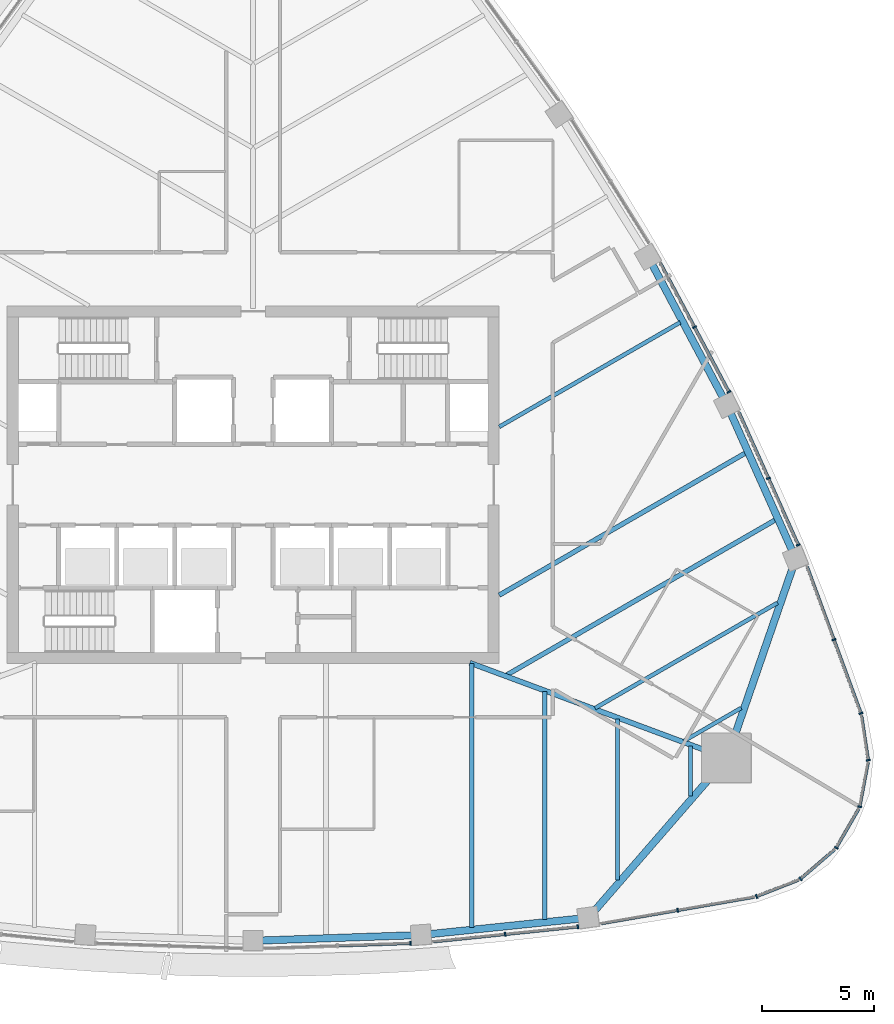
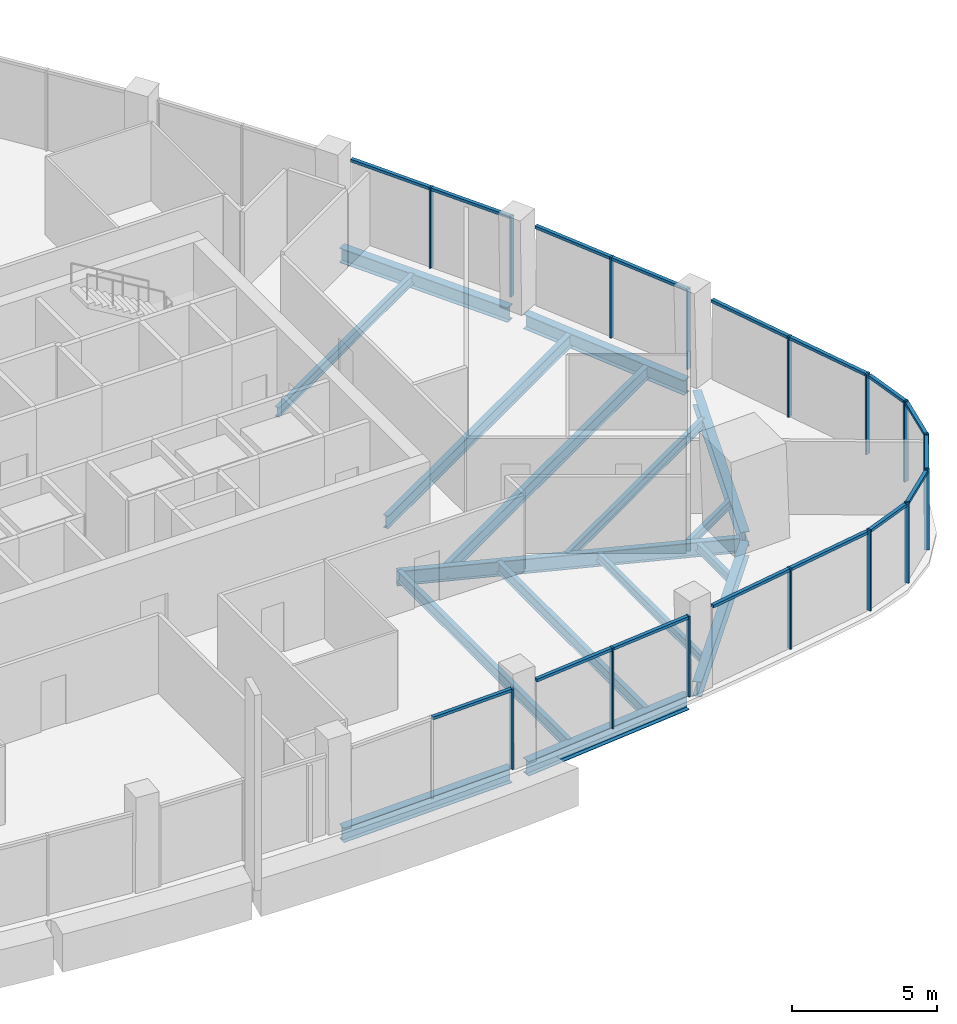
# One storey, part 4 of 16: 31 members, 16 beams, 11 elements without a shape of their own.
"""IFC4 building model written with IfcOpenShell, lengths in metres."""

from ifc_helpers import new_model, si_unit, direction, frame, origin, origin_2d, place, context, subcontext, project, spatial, rectangle, i_section, extrude, material, layer, layer_set, material_profile, profile_set, type_object, element, aggregate, save


model = new_model("IFC4")

# Units and contexts
model_context = context("Model", 3, precision=1e-05, world=origin(), true_north=direction((0.0, 1.0)))
body_context = subcontext(model_context, "Body", "Model", "MODEL_VIEW")
ifc_project = project(units=[si_unit("LENGTHUNIT", "METRE"), si_unit("AREAUNIT", "SQUARE_METRE"), si_unit("VOLUMEUNIT", "CUBIC_METRE"), si_unit("PLANEANGLEUNIT", "RADIAN"), si_unit("MASSUNIT", "GRAM", prefix="KILO")], contexts=[model_context])

# Site, building, storey
site_placement = place(None, origin())
site = spatial("IfcSite", under=ifc_project, at=site_placement, CompositionType="ELEMENT")
building_placement = place(site_placement, origin())
building = spatial("IfcBuilding", under=site, at=building_placement, Name="Sierra Prisma Convention Tower", CompositionType="ELEMENT")
storey_placement = place(building_placement, frame((0.0, 0.0, 271.0)))
storey = spatial("IfcBuildingStorey", under=building, at=storey_placement, Name="L61", CompositionType="ELEMENT", Elevation=271.0)

# Curtain wall, member
ifc_material_1 = material(Name="Aluminium and glass curtain wall", Category="aluminium")
ifc_layer = layer(ifc_material_1, 0.179931640625)
ifc_layer_set = layer_set([ifc_layer], Name="CW-1 Plain shaft curtain wall")
curtain_wall_type = type_object("IfcCurtainWallType", Name="CW-1 Plain shaft curtain wall", PredefinedType="NOTDEFINED", material=ifc_layer_set)
curtain_wall_1_placement = place(storey_placement, origin())
curtain_wall_1 = element("IfcCurtainWall", 1, at=curtain_wall_1_placement, inside=storey, type_object=curtain_wall_type, Name="CW-1 S4 L61", PredefinedType="NOTDEFINED")
ifc_material_2 = material(Name="Aluminium 6063-T6 bronze anodised", Category="aluminium")
ifc_material_profile_1 = material_profile(ifc_material_2, rectangle(XDim=0.179931640625, YDim=0.070068359375, at=origin_2d()), Name="ALU MULLION 70x180")
ifc_profile_set_1 = profile_set([ifc_material_profile_1], Name="Aluminium 6063-T6 bronze anodised")
member_type_1 = type_object("IfcMemberType", Name="CW mullion bronze", PredefinedType="MULLION", material=ifc_profile_set_1)
member_1_placement = place(storey_placement, frame((7.040283203125, -20.494140625, 0.0), z_axis=(0.0, 0.0, 1.0), x_axis=(-0.034297874149, 0.999411654839, 0.0)))
member_1 = element("IfcMember", 2, at=member_1_placement, type_object=member_type_1, Name="CW-1 mullion S4.3", PredefinedType="MULLION", context=body_context, shape_type="SweptSolid", body=[
    extrude(rectangle(XDim=0.179931640625, YDim=0.070068359375, at=origin_2d()), origin(), (0.0, 0.0, 1.0), 3.39990234375),
])

# Curtain wall, members
curtain_wall_2_placement = place(storey_placement, origin())
curtain_wall_2 = element("IfcCurtainWall", 3, at=curtain_wall_2_placement, inside=storey, type_object=curtain_wall_type, Name="CW-1 S5 L61", PredefinedType="NOTDEFINED")
member_2_placement = place(storey_placement, frame((11.26611328125, -20.092041015625, 0.0), z_axis=(0.0, 0.0, 1.0), x_axis=(-0.102732238011, 0.994709046542, 0.0)))
member_2 = element("IfcMember", 4, at=member_2_placement, type_object=member_type_1, Name="CW-1 mullion S5.2", PredefinedType="MULLION", context=body_context, shape_type="SweptSolid", body=[
    extrude(rectangle(XDim=0.179931640625, YDim=0.070068359375, at=origin_2d()), origin(), (0.0, 0.0, 1.0), 3.39990234375),
])
member_3_placement = place(storey_placement, frame((14.512939453125, -19.756591796875, 0.0), z_axis=(0.0, 0.0, 1.0), x_axis=(-0.102732238011, 0.994709046542, 0.0)))
member_3 = element("IfcMember", 5, at=member_3_placement, type_object=member_type_1, Name="CW-1 mullion S5.3", PredefinedType="MULLION", context=body_context, shape_type="SweptSolid", body=[
    extrude(rectangle(XDim=0.179931640625, YDim=0.070068359375, at=origin_2d()), origin(), (0.0, 0.0, 1.0), 3.39990234375),
])

# Curtain wall, member
curtain_wall_3_placement = place(storey_placement, origin())
curtain_wall_3 = element("IfcCurtainWall", 6, at=curtain_wall_3_placement, inside=storey, type_object=curtain_wall_type, Name="CW-1 S6 L61", PredefinedType="NOTDEFINED")
member_4_placement = place(storey_placement, frame((18.97607421875, -19.020263671875, 0.0), z_axis=(0.0, 0.0, 1.0), x_axis=(-0.170683207997, 0.985325957492, 0.0)))
member_4 = element("IfcMember", 7, at=member_4_placement, type_object=member_type_1, Name="CW-1 mullion S6.2", PredefinedType="MULLION", context=body_context, shape_type="SweptSolid", body=[
    extrude(rectangle(XDim=0.179931640625, YDim=0.070068359375, at=origin_2d()), origin(), (0.0, 0.0, 1.0), 3.39990234375),
])

curtain_wall_4_placement = place(storey_placement, origin())
curtain_wall_4 = element("IfcCurtainWall", 8, at=curtain_wall_4_placement, inside=storey, type_object=curtain_wall_type, Name="CW-1 SE1 L61", PredefinedType="NOTDEFINED")
member_5_placement = place(storey_placement, frame((22.50244140625, -18.40234375, 0.0), z_axis=(0.0, 0.0, 1.0), x_axis=(-0.365436413434, 0.930836305554, 0.0)))
member_5 = element("IfcMember", 9, at=member_5_placement, type_object=member_type_1, Name="CW-1 mullion SE1.1", PredefinedType="MULLION", context=body_context, shape_type="SweptSolid", body=[
    extrude(rectangle(XDim=0.179931640625, YDim=0.070068359375, at=origin_2d()), origin(), (0.0, 0.0, 1.0), 3.39990234375),
])

curtain_wall_5_placement = place(storey_placement, origin())
curtain_wall_5 = element("IfcCurtainWall", 10, at=curtain_wall_5_placement, inside=storey, type_object=curtain_wall_type, Name="CW-1 SE2 L61", PredefinedType="NOTDEFINED")
member_6_placement = place(storey_placement, frame((24.46728515625, -17.618408203125, 0.0), z_axis=(0.0, 0.0, 1.0), x_axis=(-0.652326246869, 0.757938300686, 0.0)))
member_6 = element("IfcMember", 11, at=member_6_placement, type_object=member_type_1, Name="CW-1 mullion SE2.1", PredefinedType="MULLION", context=body_context, shape_type="SweptSolid", body=[
    extrude(rectangle(XDim=0.179931640625, YDim=0.070068359375, at=origin_2d()), origin(), (0.0, 0.0, 1.0), 3.39990234375),
])

curtain_wall_6_placement = place(storey_placement, origin())
curtain_wall_6 = element("IfcCurtainWall", 12, at=curtain_wall_6_placement, inside=storey, type_object=curtain_wall_type, Name="CW-1 SE3 L61", PredefinedType="NOTDEFINED")
member_7_placement = place(storey_placement, frame((26.063232421875, -16.229736328125, 0.0), z_axis=(0.0, 0.0, 1.0), x_axis=(-0.866025403784, 0.5, 0.0)))
member_7 = element("IfcMember", 13, at=member_7_placement, type_object=member_type_1, Name="CW-1 mullion SE3.1", PredefinedType="MULLION", context=body_context, shape_type="SweptSolid", body=[
    extrude(rectangle(XDim=0.179931640625, YDim=0.070068359375, at=origin_2d()), origin(), (0.0, 0.0, 1.0), 3.39990234375),
])

curtain_wall_7_placement = place(storey_placement, origin())
curtain_wall_7 = element("IfcCurtainWall", 14, at=curtain_wall_7_placement, inside=storey, type_object=curtain_wall_type, Name="CW-1 SE4 L61", PredefinedType="NOTDEFINED")
member_8_placement = place(storey_placement, frame((27.11083984375, -14.391845703125, 0.0), z_axis=(0.0, 0.0, 1.0), x_axis=(-0.982556946329, 0.185961951001, 0.0)))
member_8 = element("IfcMember", 15, at=member_8_placement, type_object=member_type_1, Name="CW-1 mullion SE4.1", PredefinedType="MULLION", context=body_context, shape_type="SweptSolid", body=[
    extrude(rectangle(XDim=0.179931640625, YDim=0.070068359375, at=origin_2d()), origin(), (0.0, 0.0, 1.0), 3.39990234375),
])

curtain_wall_8_placement = place(storey_placement, origin())
curtain_wall_8 = element("IfcCurtainWall", 16, at=curtain_wall_8_placement, inside=storey, type_object=curtain_wall_type, Name="CW-1 SE5 L61", PredefinedType="NOTDEFINED")
member_9_placement = place(storey_placement, frame((27.492919921875, -12.31103515625, 0.0), z_axis=(0.0, 0.0, 1.0), x_axis=(-0.988846094091, -0.148940935275, 0.0)))
member_9 = element("IfcMember", 17, at=member_9_placement, type_object=member_type_1, Name="CW-1 mullion SE5.1", PredefinedType="MULLION", context=body_context, shape_type="SweptSolid", body=[
    extrude(rectangle(XDim=0.179931640625, YDim=0.070068359375, at=origin_2d()), origin(), (0.0, 0.0, 1.0), 3.39990234375),
])

# Curtain wall, members
curtain_wall_9_placement = place(storey_placement, origin())
curtain_wall_9 = element("IfcCurtainWall", 18, at=curtain_wall_9_placement, inside=storey, type_object=curtain_wall_type, Name="CW-1 NE1 L61", PredefinedType="NOTDEFINED")
member_10_placement = place(storey_placement, frame((27.170654296875, -10.218994140625, 0.0), z_axis=(0.0, 0.0, 1.0), x_axis=(-0.938658914195, -0.344846984621, 0.0)))
member_10 = element("IfcMember", 19, at=member_10_placement, type_object=member_type_1, Name="CW-1 mullion NE1.1", PredefinedType="MULLION", context=body_context, shape_type="SweptSolid", body=[
    extrude(rectangle(XDim=0.179931640625, YDim=0.070068359375, at=origin_2d()), origin(), (0.0, 0.0, 1.0), 3.39990234375),
])
member_11_placement = place(storey_placement, frame((25.9599609375, -6.923583984375, 0.0), z_axis=(0.0, 0.0, 1.0), x_axis=(-0.938658914195, -0.344846984621, 0.0)))
member_11 = element("IfcMember", 20, at=member_11_placement, type_object=member_type_1, Name="CW-1 mullion NE1.2", PredefinedType="MULLION", context=body_context, shape_type="SweptSolid", body=[
    extrude(rectangle(XDim=0.179931640625, YDim=0.070068359375, at=origin_2d()), origin(), (0.0, 0.0, 1.0), 3.39990234375),
])

curtain_wall_10_placement = place(storey_placement, origin())
curtain_wall_10 = element("IfcCurtainWall", 21, at=curtain_wall_10_placement, inside=storey, type_object=curtain_wall_type, Name="CW-1 NE2 L61", PredefinedType="NOTDEFINED")
member_12_placement = place(storey_placement, frame((24.3662109375, -2.6904296875, 0.0), z_axis=(0.0, 0.0, 1.0), x_axis=(-0.912809422686, -0.408385795366, 0.0)))
member_12 = element("IfcMember", 22, at=member_12_placement, type_object=member_type_1, Name="CW-1 mullion NE2.1", PredefinedType="MULLION", context=body_context, shape_type="SweptSolid", body=[
    extrude(rectangle(XDim=0.179931640625, YDim=0.070068359375, at=origin_2d()), origin(), (0.0, 0.0, 1.0), 3.39990234375),
])
member_13_placement = place(storey_placement, frame((23.033203125, 0.2890625, 0.0), z_axis=(0.0, 0.0, 1.0), x_axis=(-0.912809422686, -0.408385795366, 0.0)))
member_13 = element("IfcMember", 23, at=member_13_placement, type_object=member_type_1, Name="CW-1 mullion NE2.2", PredefinedType="MULLION", context=body_context, shape_type="SweptSolid", body=[
    extrude(rectangle(XDim=0.179931640625, YDim=0.070068359375, at=origin_2d()), origin(), (0.0, 0.0, 1.0), 3.39990234375),
])

curtain_wall_11_placement = place(storey_placement, origin())
curtain_wall_11 = element("IfcCurtainWall", 24, at=curtain_wall_11_placement, inside=storey, type_object=curtain_wall_type, Name="CW-1 NE3 L61", PredefinedType="NOTDEFINED")
member_14_placement = place(storey_placement, frame((21.2685546875, 4.14990234375, 0.0), z_axis=(0.0, 0.0, 1.0), x_axis=(-0.882664819004, -0.470002997111, 0.0)))
member_14 = element("IfcMember", 25, at=member_14_placement, type_object=member_type_1, Name="CW-1 mullion NE3.1", PredefinedType="MULLION", context=body_context, shape_type="SweptSolid", body=[
    extrude(rectangle(XDim=0.179931640625, YDim=0.070068359375, at=origin_2d()), origin(), (0.0, 0.0, 1.0), 3.39990234375),
])
member_15_placement = place(storey_placement, frame((19.72705078125, 7.044921875, 0.0), z_axis=(0.0, 0.0, 1.0), x_axis=(-0.882664819004, -0.470002997111, 0.0)))
member_15 = element("IfcMember", 26, at=member_15_placement, type_object=member_type_1, Name="CW-1 mullion NE3.2", PredefinedType="MULLION", context=body_context, shape_type="SweptSolid", body=[
    extrude(rectangle(XDim=0.179931640625, YDim=0.070068359375, at=origin_2d()), origin(), (0.0, 0.0, 1.0), 3.39990234375),
])

# Member
ifc_material_3 = material(Name="Aluminium 6063-T6 bronze anodised", Category="aluminium")
ifc_material_profile_2 = material_profile(ifc_material_3, rectangle(XDim=0.139892578125, YDim=0.1201171875, at=origin_2d()), Name="ALU TRANSOM 120x140")
ifc_profile_set_2 = profile_set([ifc_material_profile_2], Name="Aluminium 6063-T6 bronze anodised")
member_type_2 = type_object("IfcMemberType", Name="CW transom bronze", PredefinedType="USERDEFINED", material=ifc_profile_set_2)
member_16_placement = place(storey_placement, frame((3.797607421875, -20.60546875, 3.340087890625), z_axis=(0.999411407265, 0.034305087501, 0.0), x_axis=(-0.034305087501, 0.999411407265, 0.0)))
member_16 = element("IfcMember", 27, at=member_16_placement, type_object=member_type_2, Name="CW-1 transom S4.2", ObjectType="TRANSOM", PredefinedType="USERDEFINED", context=body_context, shape_type="SweptSolid", body=[
    extrude(rectangle(XDim=0.139892578125, YDim=0.1201171875, at=origin_2d()), origin(), (0.0, 0.0, 1.0), 3.209716796875),
])

aggregate(curtain_wall_1, [member_1, member_16])

member_17_placement = place(storey_placement, frame((8.054443359375, -20.423583984375, 3.340087890625), z_axis=(0.994708776832, 0.102734849463, 0.0), x_axis=(-0.102734849463, 0.994708776832, 0.0)))
member_17 = element("IfcMember", 28, at=member_17_placement, type_object=member_type_2, Name="CW-1 transom S5.1", ObjectType="TRANSOM", PredefinedType="USERDEFINED", context=body_context, shape_type="SweptSolid", body=[
    extrude(rectangle(XDim=0.139892578125, YDim=0.1201171875, at=origin_2d()), origin(), (0.0, 0.0, 1.0), 3.19384765625),
])

member_18_placement = place(storey_placement, frame((11.301025390625, -20.08837890625, 3.340087890625), z_axis=(0.994708776832, 0.102734849463, 0.0), x_axis=(-0.102734849463, 0.994708776832, 0.0)))
member_18 = element("IfcMember", 29, at=member_18_placement, type_object=member_type_2, Name="CW-1 transom S5.2", ObjectType="TRANSOM", PredefinedType="USERDEFINED", context=body_context, shape_type="SweptSolid", body=[
    extrude(rectangle(XDim=0.139892578125, YDim=0.1201171875, at=origin_2d()), origin(), (0.0, 0.0, 1.0), 3.19384765625),
])

aggregate(curtain_wall_2, [member_2, member_3, member_17, member_18])

member_19_placement = place(storey_placement, frame((15.55126953125, -19.613525390625, 3.340087890625), z_axis=(0.985320912526, 0.170712329195, 0.0), x_axis=(-0.170712329195, 0.985320912526, 0.0)))
member_19 = element("IfcMember", 30, at=member_19_placement, type_object=member_type_2, Name="CW-1 transom S6.1", ObjectType="TRANSOM", PredefinedType="USERDEFINED", context=body_context, shape_type="SweptSolid", body=[
    extrude(rectangle(XDim=0.139892578125, YDim=0.1201171875, at=origin_2d()), origin(), (0.0, 0.0, 1.0), 3.44091796875),
])

member_20_placement = place(storey_placement, frame((19.010498046875, -19.014404296875, 3.340087890625), z_axis=(0.985320912526, 0.170712329195, 0.0), x_axis=(-0.170712329195, 0.985320912526, 0.0)))
member_20 = element("IfcMember", 31, at=member_20_placement, type_object=member_type_2, Name="CW-1 transom S6.2", ObjectType="TRANSOM", PredefinedType="USERDEFINED", context=body_context, shape_type="SweptSolid", body=[
    extrude(rectangle(XDim=0.139892578125, YDim=0.1201171875, at=origin_2d()), origin(), (0.0, 0.0, 1.0), 3.44091796875),
])

aggregate(curtain_wall_3, [member_4, member_19, member_20])

member_21_placement = place(storey_placement, frame((22.534912109375, -18.389404296875, 3.340087890625), z_axis=(0.930841497817, 0.365423187472, 0.0), x_axis=(-0.365423187472, 0.930841497817, 0.0)))
member_21 = element("IfcMember", 32, at=member_21_placement, type_object=member_type_2, Name="CW-1 transom SE1.1", ObjectType="TRANSOM", PredefinedType="USERDEFINED", context=body_context, shape_type="SweptSolid", body=[
    extrude(rectangle(XDim=0.139892578125, YDim=0.1201171875, at=origin_2d()), origin(), (0.0, 0.0, 1.0), 1.9775390625),
])

aggregate(curtain_wall_4, [member_5, member_21])

member_22_placement = place(storey_placement, frame((24.493896484375, -17.595703125, 3.340087890625), z_axis=(0.757912919293, 0.652355736365, 0.0), x_axis=(-0.652355736365, 0.757912919293, 0.0)))
member_22 = element("IfcMember", 33, at=member_22_placement, type_object=member_type_2, Name="CW-1 transom SE2.1", ObjectType="TRANSOM", PredefinedType="USERDEFINED", context=body_context, shape_type="SweptSolid", body=[
    extrude(rectangle(XDim=0.139892578125, YDim=0.1201171875, at=origin_2d()), origin(), (0.0, 0.0, 1.0), 1.9775390625),
])

aggregate(curtain_wall_5, [member_6, member_22])

member_23_placement = place(storey_placement, frame((26.080810546875, -16.199462890625, 3.340087890625), z_axis=(0.499897016473, 0.866084853188, 0.0), x_axis=(-0.866084853188, 0.499897016473, 0.0)))
member_23 = element("IfcMember", 34, at=member_23_placement, type_object=member_type_2, Name="CW-1 transom SE3.1", ObjectType="TRANSOM", PredefinedType="USERDEFINED", context=body_context, shape_type="SweptSolid", body=[
    extrude(rectangle(XDim=0.139892578125, YDim=0.1201171875, at=origin_2d()), origin(), (0.0, 0.0, 1.0), 1.9775390625),
])

aggregate(curtain_wall_6, [member_7, member_23])

member_24_placement = place(storey_placement, frame((27.117431640625, -14.357421875, 3.340087890625), z_axis=(0.185943214546, 0.982560492267, 0.0), x_axis=(-0.982560492267, 0.185943214546, 0.0)))
member_24 = element("IfcMember", 35, at=member_24_placement, type_object=member_type_2, Name="CW-1 transom SE4.1", ObjectType="TRANSOM", PredefinedType="USERDEFINED", context=body_context, shape_type="SweptSolid", body=[
    extrude(rectangle(XDim=0.139892578125, YDim=0.1201171875, at=origin_2d()), origin(), (0.0, 0.0, 1.0), 1.977294921875),
])

aggregate(curtain_wall_7, [member_8, member_24])

member_25_placement = place(storey_placement, frame((27.48779296875, -12.276611328125, 3.340087890625), z_axis=(-0.148883742379, 0.988854706848, 0.0), x_axis=(-0.988854706848, -0.148883742379, 0.0)))
member_25 = element("IfcMember", 36, at=member_25_placement, type_object=member_type_2, Name="CW-1 transom SE5.1", ObjectType="TRANSOM", PredefinedType="USERDEFINED", context=body_context, shape_type="SweptSolid", body=[
    extrude(rectangle(XDim=0.139892578125, YDim=0.1201171875, at=origin_2d()), origin(), (0.0, 0.0, 1.0), 1.9775390625),
])

aggregate(curtain_wall_8, [member_9, member_25])

member_26_placement = place(storey_placement, frame((27.15869140625, -10.186279296875, 3.340087890625), z_axis=(-0.344840428504, 0.938661322773, 0.0), x_axis=(-0.938661322773, -0.344840428504, 0.0)))
member_26 = element("IfcMember", 37, at=member_26_placement, type_object=member_type_2, Name="CW-1 transom NE1.1", ObjectType="TRANSOM", PredefinedType="USERDEFINED", context=body_context, shape_type="SweptSolid", body=[
    extrude(rectangle(XDim=0.139892578125, YDim=0.1201171875, at=origin_2d()), origin(), (0.0, 0.0, 1.0), 3.440673828125),
])

member_27_placement = place(storey_placement, frame((25.947998046875, -6.890869140625, 3.340087890625), z_axis=(-0.344840428504, 0.938661322773, 0.0), x_axis=(-0.938661322773, -0.344840428504, 0.0)))
member_27 = element("IfcMember", 38, at=member_27_placement, type_object=member_type_2, Name="CW-1 transom NE1.2", ObjectType="TRANSOM", PredefinedType="USERDEFINED", context=body_context, shape_type="SweptSolid", body=[
    extrude(rectangle(XDim=0.139892578125, YDim=0.1201171875, at=origin_2d()), origin(), (0.0, 0.0, 1.0), 3.440673828125),
])

aggregate(curtain_wall_9, [member_10, member_11, member_26, member_27])

member_28_placement = place(storey_placement, frame((24.351806640625, -2.658447265625, 3.340087890625), z_axis=(-0.40833589012, 0.912831748374, 0.0), x_axis=(-0.912831748374, -0.40833589012, 0.0)))
member_28 = element("IfcMember", 39, at=member_28_placement, type_object=member_type_2, Name="CW-1 transom NE2.1", ObjectType="TRANSOM", PredefinedType="USERDEFINED", context=body_context, shape_type="SweptSolid", body=[
    extrude(rectangle(XDim=0.139892578125, YDim=0.1201171875, at=origin_2d()), origin(), (0.0, 0.0, 1.0), 3.19384765625),
])

member_29_placement = place(storey_placement, frame((23.01904296875, 0.321044921875, 3.340087890625), z_axis=(-0.408399580642, 0.912803255106, 0.0), x_axis=(-0.912803255106, -0.408399580642, 0.0)))
member_29 = element("IfcMember", 40, at=member_29_placement, type_object=member_type_2, Name="CW-1 transom NE2.2", ObjectType="TRANSOM", PredefinedType="USERDEFINED", context=body_context, shape_type="SweptSolid", body=[
    extrude(rectangle(XDim=0.139892578125, YDim=0.1201171875, at=origin_2d()), origin(), (0.0, 0.0, 1.0), 3.194091796875),
])

aggregate(curtain_wall_10, [member_12, member_13, member_28, member_29])

member_30_placement = place(storey_placement, frame((21.252197265625, 4.1806640625, 3.340087890625), z_axis=(-0.469976218825, 0.882679077434, 0.0), x_axis=(-0.882679077434, -0.469976218825, 0.0)))
member_30 = element("IfcMember", 41, at=member_30_placement, type_object=member_type_2, Name="CW-1 transom NE3.1", ObjectType="TRANSOM", PredefinedType="USERDEFINED", context=body_context, shape_type="SweptSolid", body=[
    extrude(rectangle(XDim=0.139892578125, YDim=0.1201171875, at=origin_2d()), origin(), (0.0, 0.0, 1.0), 3.209716796875),
])

member_31_placement = place(storey_placement, frame((19.710693359375, 7.07568359375, 3.340087890625), z_axis=(-0.469976218825, 0.882679077434, 0.0), x_axis=(-0.882679077434, -0.469976218825, 0.0)))
member_31 = element("IfcMember", 42, at=member_31_placement, type_object=member_type_2, Name="CW-1 transom NE3.2", ObjectType="TRANSOM", PredefinedType="USERDEFINED", context=body_context, shape_type="SweptSolid", body=[
    extrude(rectangle(XDim=0.139892578125, YDim=0.1201171875, at=origin_2d()), origin(), (0.0, 0.0, 1.0), 3.209716796875),
])

aggregate(curtain_wall_11, [member_14, member_15, member_30, member_31])

# Beams
ifc_material_4 = material(Name="Steel ASTM A992 Gr 50", Category="steel")
ifc_material_profile_3 = material_profile(ifc_material_4, i_section(OverallWidth=0.172119140625, OverallDepth=0.35791015625, WebThickness=0.0078125, FlangeThickness=0.01318359375, at=origin_2d()), Name="W360x57")
ifc_profile_set_3 = profile_set([ifc_material_profile_3], Name="Steel ASTM A992 Gr 50")
beam_type_1 = type_object("IfcBeamType", Name="Floor joist W360x57", PredefinedType="JOIST", material=ifc_profile_set_3)
beam_1_placement = place(storey_placement, frame((16.290771484375, -17.66015625, -0.3291015625), z_axis=(0.0, 1.0, 0.0), x_axis=(-1.0, 0.0, 0.0)))
element("IfcBeam", 43, at=beam_1_placement, inside=storey, type_object=beam_type_1, Name="Floor joist L61 S12", PredefinedType="JOIST", context=body_context, shape_type="SweptSolid", body=[
    extrude(i_section(OverallWidth=0.172119140625, OverallDepth=0.35791015625, WebThickness=0.0078125, FlangeThickness=0.01318359375, at=origin_2d()), origin(), (0.0, 0.0, 1.0), 7.19970703125),
])
beam_2_placement = place(storey_placement, frame((19.548828125, -13.90625, -0.3291015625), z_axis=(0.0, 1.0, 0.0), x_axis=(-1.0, 0.0, 0.0)))
element("IfcBeam", 44, at=beam_2_placement, inside=storey, type_object=beam_type_1, Name="Floor joist L61 S13", PredefinedType="JOIST", context=body_context, shape_type="SweptSolid", body=[
    extrude(i_section(OverallWidth=0.172119140625, OverallDepth=0.35791015625, WebThickness=0.0078125, FlangeThickness=0.01318359375, at=origin_2d()), origin(), (0.0, 0.0, 1.0), 2.2353515625),
])
beam_3_placement = place(storey_placement, frame((21.8173828125, -9.976806640625, -0.3291015625), z_axis=(-0.866037643702, -0.499978799242, 0.0), x_axis=(0.499978799242, -0.866037643702, 0.0)))
element("IfcBeam", 45, at=beam_3_placement, inside=storey, type_object=beam_type_1, Name="Floor joist L61 NE01", PredefinedType="JOIST", context=body_context, shape_type="SweptSolid", body=[
    extrude(i_section(OverallWidth=0.172119140625, OverallDepth=0.35791015625, WebThickness=0.0078125, FlangeThickness=0.01318359375, at=origin_2d()), origin(), (0.0, 0.0, 1.0), 2.968017578125),
])
ifc_material_5 = material(Name="Steel ASTM A992 Gr 50", Category="steel")
ifc_material_profile_4 = material_profile(ifc_material_5, i_section(OverallWidth=0.177978515625, OverallDepth=0.406982421875, WebThickness=0.0078125, FlangeThickness=0.0126953125, at=origin_2d()), Name="W410x60")
ifc_profile_set_4 = profile_set([ifc_material_profile_4], Name="Steel ASTM A992 Gr 50")
beam_type_2 = type_object("IfcBeamType", Name="Floor joist W410x60", PredefinedType="JOIST", material=ifc_profile_set_4)
beam_4_placement = place(storey_placement, frame((23.439453125, -5.278076171875, -0.353515625), z_axis=(-0.86603019839, -0.499991695407, 0.0), x_axis=(0.499991695407, -0.86603019839, 0.0)))
element("IfcBeam", 46, at=beam_4_placement, inside=storey, type_object=beam_type_2, Name="Floor joist L61 NE02", PredefinedType="JOIST", context=body_context, shape_type="SweptSolid", body=[
    extrude(i_section(OverallWidth=0.177978515625, OverallDepth=0.406982421875, WebThickness=0.0078125, FlangeThickness=0.0126953125, at=origin_2d()), origin(), (0.0, 0.0, 1.0), 9.419189453125),
])
beam_5_placement = place(storey_placement, frame((19.08935546875, 7.259033203125, -0.353515625), z_axis=(-0.866024541596, -0.500001493352, 0.0), x_axis=(0.500001493352, -0.866024541596, 0.0)))
element("IfcBeam", 47, at=beam_5_placement, inside=storey, type_object=beam_type_2, Name="Floor joist L61 NE06", PredefinedType="JOIST", context=body_context, shape_type="SweptSolid", body=[
    extrude(i_section(OverallWidth=0.177978515625, OverallDepth=0.406982421875, WebThickness=0.0078125, FlangeThickness=0.0126953125, at=origin_2d()), origin(), (0.0, 0.0, 1.0), 9.3408203125),
])
ifc_material_6 = material(Name="Steel ASTM A992 Gr 50", Category="steel")
ifc_material_profile_5 = material_profile(ifc_material_6, i_section(OverallWidth=0.18994140625, OverallDepth=0.45703125, WebThickness=0.009033203125, FlangeThickness=0.014404296875, at=origin_2d()), Name="W460x74")
ifc_profile_set_5 = profile_set([ifc_material_profile_5], Name="Steel ASTM A992 Gr 50")
beam_type_3 = type_object("IfcBeamType", Name="Floor joist W460x74", PredefinedType="JOIST", material=ifc_profile_set_5)
beam_6_placement = place(storey_placement, frame((9.7744140625, -19.781005859375, -0.37841796875), z_axis=(0.0, 1.0, 0.0), x_axis=(-1.0, 0.0, 0.0)))
element("IfcBeam", 48, at=beam_6_placement, inside=storey, type_object=beam_type_3, Name="Floor joist L61 S10", PredefinedType="JOIST", context=body_context, shape_type="SweptSolid", body=[
    extrude(i_section(OverallWidth=0.18994140625, OverallDepth=0.45703125, WebThickness=0.009033203125, FlangeThickness=0.014404296875, at=origin_2d()), origin(), (0.0, 0.0, 1.0), 11.781005859375),
])
beam_7_placement = place(storey_placement, frame((13.032470703125, -19.444580078125, -0.37841796875), z_axis=(0.0, 1.0, 0.0), x_axis=(-1.0, 0.0, 0.0)))
element("IfcBeam", 49, at=beam_7_placement, inside=storey, type_object=beam_type_3, Name="Floor joist L61 S11", PredefinedType="JOIST", context=body_context, shape_type="SweptSolid", body=[
    extrude(i_section(OverallWidth=0.18994140625, OverallDepth=0.45703125, WebThickness=0.009033203125, FlangeThickness=0.014404296875, at=origin_2d()), origin(), (0.0, 0.0, 1.0), 10.194580078125),
])
ifc_material_7 = material(Name="Steel ASTM A992 Gr 50", Category="steel")
ifc_material_profile_6 = material_profile(ifc_material_7, i_section(OverallWidth=0.208984375, OverallDepth=0.532958984375, WebThickness=0.01025390625, FlangeThickness=0.015625, at=origin_2d()), Name="W530x92")
ifc_profile_set_6 = profile_set([ifc_material_profile_6], Name="Steel ASTM A992 Gr 50")
beam_type_4 = type_object("IfcBeamType", Name="Floor joist W530x92", PredefinedType="JOIST", material=ifc_profile_set_6)
beam_8_placement = place(storey_placement, frame((23.355712890625, -1.564208984375, -0.41650390625), z_axis=(-0.866022091174, -0.500005737566, 0.0), x_axis=(0.500005737566, -0.866022091174, 0.0)))
element("IfcBeam", 50, at=beam_8_placement, inside=storey, type_object=beam_type_4, Name="Floor joist L61 NE03", PredefinedType="JOIST", context=body_context, shape_type="SweptSolid", body=[
    extrude(i_section(OverallWidth=0.208984375, OverallDepth=0.532958984375, WebThickness=0.01025390625, FlangeThickness=0.015625, at=origin_2d()), origin(), (0.0, 0.0, 1.0), 13.900634765625),
])
beam_9_placement = place(storey_placement, frame((22.01806640625, 1.425537109375, -0.41650390625), z_axis=(-0.866032197868, -0.499988232117, 0.0), x_axis=(0.499988232117, -0.866032197868, 0.0)))
element("IfcBeam", 51, at=beam_9_placement, inside=storey, type_object=beam_type_4, Name="Floor joist L61 NE04", PredefinedType="JOIST", context=body_context, shape_type="SweptSolid", body=[
    extrude(i_section(OverallWidth=0.208984375, OverallDepth=0.532958984375, WebThickness=0.01025390625, FlangeThickness=0.015625, at=origin_2d()), origin(), (0.0, 0.0, 1.0), 12.722412109375),
])
ifc_material_8 = material(Name="Steel ASTM A992 Gr 50", Category="steel")
ifc_material_profile_7 = material_profile(ifc_material_8, i_section(OverallWidth=0.22998046875, OverallDepth=0.616943359375, WebThickness=0.01318359375, FlangeThickness=0.022216796875, at=origin_2d()), Name="W610x140")
ifc_profile_set_7 = profile_set([ifc_material_profile_7], Name="Steel ASTM A992 Gr 50")
beam_type_5 = type_object("IfcBeamType", Name="Radial girder W610x140", PredefinedType="BEAM", material=ifc_profile_set_7)
beam_10_placement = place(storey_placement, frame((20.9580078125, -12.145263671875, -0.45849609375), z_axis=(-0.937402924817, 0.348246689208, 0.0), x_axis=(-0.348246689208, -0.937402924817, 0.0)))
element("IfcBeam", 52, at=beam_10_placement, inside=storey, type_object=beam_type_5, Name="Radial girder L61 SE", PredefinedType="BEAM", context=body_context, shape_type="SweptSolid", body=[
    extrude(i_section(OverallWidth=0.22998046875, OverallDepth=0.616943359375, WebThickness=0.01318359375, FlangeThickness=0.022216796875, at=origin_2d()), origin(), (0.0, 0.0, 1.0), 12.023193359375),
])
ifc_material_9 = material(Name="Steel ASTM A992 Gr 50", Category="steel")
ifc_material_profile_8 = material_profile(ifc_material_9, i_section(OverallWidth=0.324951171875, OverallDepth=0.615966796875, WebThickness=0.013916015625, FlangeThickness=0.021484375, at=origin_2d()), Name="W610x174")
ifc_profile_set_8 = profile_set([ifc_material_profile_8], Name="Steel ASTM A992 Gr 50")
beam_type_6 = type_object("IfcBeamType", Name="Spandrel beam W610x174", PredefinedType="BEAM", material=ifc_profile_set_8)
for number, where, z_axis, x_axis, name in (
    (53, (0.330078125, -20.374267578125, -0.4580078125), (0.999412030776, 0.034286917907, 0.0), (-0.034286917907, 0.999412030776, 0.0), "Spandrel L61-04"),
    (54, (7.841796875, -20.093994140625, -0.4580078125), (0.994710500987, 0.102718154318, 0.0), (-0.102718154318, 0.994710500987, 0.0), "Spandrel L61-05"),
):
    element("IfcBeam", number, at=place(storey_placement, frame(where, z_axis=z_axis, x_axis=x_axis)), inside=storey, type_object=beam_type_6, Name=name, PredefinedType="BEAM", context=body_context, shape_type="SweptSolid", body=[
        extrude(i_section(OverallWidth=0.324951171875, OverallDepth=0.615966796875, WebThickness=0.013916015625, FlangeThickness=0.021484375, at=origin_2d()), origin(), (0.0, 0.0, 1.0), 6.857177734375),
    ])
beam_11_placement = place(storey_placement, frame((15.30419921875, -18.99462890625, -0.4580078125), z_axis=(0.65547498116, 0.755216888763, 0.0), x_axis=(-0.755216888763, 0.65547498116, 0.0)))
element("IfcBeam", 55, at=beam_11_placement, inside=storey, type_object=beam_type_6, Name="Spandrel L61-06", PredefinedType="BEAM", context=body_context, shape_type="SweptSolid", body=[
    extrude(i_section(OverallWidth=0.324951171875, OverallDepth=0.615966796875, WebThickness=0.013916015625, FlangeThickness=0.021484375, at=origin_2d()), origin(), (0.0, 0.0, 1.0), 8.669921875),
])
beam_12_placement = place(storey_placement, frame((21.25390625, -12.007080078125, -0.4580078125), z_axis=(0.326313062456, 0.945261754897, 0.0), x_axis=(-0.945261754897, 0.326313062456, 0.0)))
element("IfcBeam", 56, at=beam_12_placement, inside=storey, type_object=beam_type_6, Name="Spandrel L61-07", PredefinedType="BEAM", context=body_context, shape_type="SweptSolid", body=[
    extrude(i_section(OverallWidth=0.324951171875, OverallDepth=0.615966796875, WebThickness=0.013916015625, FlangeThickness=0.021484375, at=origin_2d()), origin(), (0.0, 0.0, 1.0), 8.728271484375),
])
beam_13_placement = place(storey_placement, frame((24.123046875, -3.00341796875, -0.4580078125), z_axis=(-0.408376989796, 0.912813362197, 0.0), x_axis=(-0.912813362197, -0.408376989796, 0.0)))
element("IfcBeam", 57, at=beam_13_placement, inside=storey, type_object=beam_type_6, Name="Spandrel L61-08", PredefinedType="BEAM", context=body_context, shape_type="SweptSolid", body=[
    extrude(i_section(OverallWidth=0.324951171875, OverallDepth=0.615966796875, WebThickness=0.013916015625, FlangeThickness=0.021484375, at=origin_2d()), origin(), (0.0, 0.0, 1.0), 6.857177734375),
])
beam_14_placement = place(storey_placement, frame((21.032470703125, 3.848876953125, -0.4580078125), z_axis=(-0.469981982032, 0.882676008831, 0.0), x_axis=(-0.882676008831, -0.469981982032, 0.0)))
element("IfcBeam", 58, at=beam_14_placement, inside=storey, type_object=beam_type_6, Name="Spandrel L61-09", PredefinedType="BEAM", context=body_context, shape_type="SweptSolid", body=[
    extrude(i_section(OverallWidth=0.324951171875, OverallDepth=0.615966796875, WebThickness=0.013916015625, FlangeThickness=0.021484375, at=origin_2d()), origin(), (0.0, 0.0, 1.0), 6.85693359375),
])

save(model, "model.ifc")
